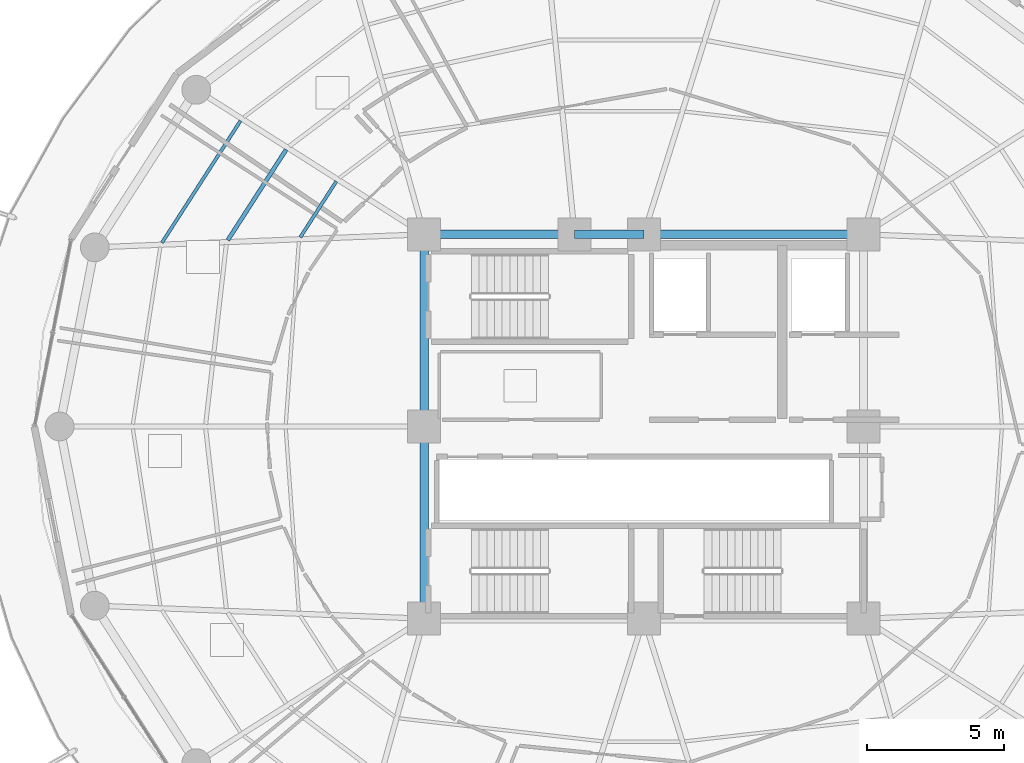
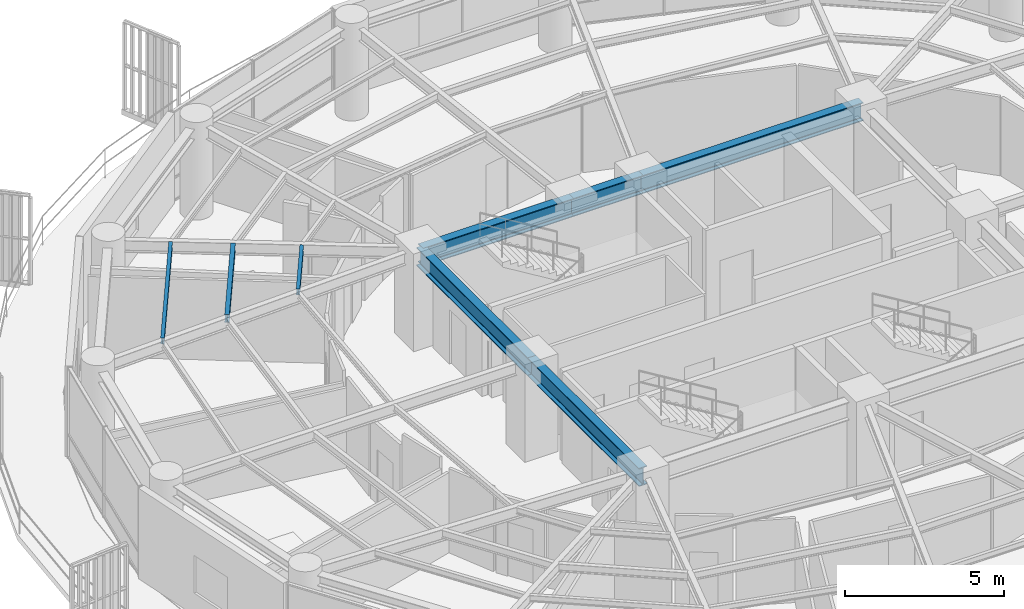
# One storey, part 9 of 31: 8 beams.
"""IFC4 building model written with IfcOpenShell, lengths in metres."""

from ifc_helpers import new_model, si_unit, direction, frame, origin, origin_2d, place, context, subcontext, project, spatial, i_section, extrude, material, material_profile, profile_set, type_object, element, save


model = new_model("IFC4")

# Units and contexts
model_context = context("Model", 3, precision=1e-05, world=origin(), true_north=direction((0.0, 1.0)))
body_context = subcontext(model_context, "Body", "Model", "MODEL_VIEW")
ifc_project = project(units=[si_unit("LENGTHUNIT", "METRE"), si_unit("AREAUNIT", "SQUARE_METRE"), si_unit("VOLUMEUNIT", "CUBIC_METRE"), si_unit("PLANEANGLEUNIT", "RADIAN"), si_unit("MASSUNIT", "GRAM", prefix="KILO")], contexts=[model_context])

# Site, building, storey
site_placement = place(None, origin())
site = spatial("IfcSite", under=ifc_project, at=site_placement, CompositionType="ELEMENT")
building_placement = place(site_placement, origin())
building = spatial("IfcBuilding", under=site, at=building_placement, Name="Kelanora Arch Commons", CompositionType="ELEMENT")
storey_placement = place(building_placement, frame((0.0, 0.0, 193.199951171875)))
storey = spatial("IfcBuildingStorey", under=building, at=storey_placement, Name="L49", CompositionType="ELEMENT", Elevation=193.199951171875)

# Beams
ifc_material = material(Name="Steel S355", Category="steel")
ifc_material_profile_1 = material_profile(ifc_material, i_section(OverallWidth=0.300048828125, OverallDepth=0.699951171875, WebThickness=0.01708984375, FlangeThickness=0.031982421875, FilletRadius=0.027099609375, at=origin_2d()), Name="HEB700")
ifc_profile_set_1 = profile_set([ifc_material_profile_1], Name="Steel S355")
beam_type_1 = type_object("IfcBeamType", Name="BM-CORE-HDR", PredefinedType="BEAM", material=ifc_profile_set_1)
beam_1_placement = place(storey_placement, frame((82.0, 65.0, 3.14013671875), z_axis=(-1.0, 0.0, 0.0), x_axis=(0.0, -1.0, 0.0)))
element("IfcBeam", 1, at=beam_1_placement, inside=storey, type_object=beam_type_1, Name="Core Header Beam 05 L49", PredefinedType="BEAM", context=body_context, shape_type="SweptSolid", body=[
    extrude(i_section(OverallWidth=0.300048828125, OverallDepth=0.699951171875, WebThickness=0.01708984375, FlangeThickness=0.031982421875, FilletRadius=0.027099609375, at=origin_2d()), origin(), (0.0, 0.0, 1.0), 8.0),
])
beam_2_placement = place(storey_placement, frame((74.0, 65.0, 3.14013671875), z_axis=(-1.0, 0.0, 0.0), x_axis=(0.0, -1.0, 0.0)))
element("IfcBeam", 2, at=beam_2_placement, inside=storey, type_object=beam_type_1, Name="Core Header Beam 06 L49", PredefinedType="BEAM", context=body_context, shape_type="SweptSolid", body=[
    extrude(i_section(OverallWidth=0.300048828125, OverallDepth=0.699951171875, WebThickness=0.01708984375, FlangeThickness=0.031982421875, FilletRadius=0.027099609375, at=origin_2d()), origin(), (0.0, 0.0, 1.0), 2.52001953125),
])
beam_3_placement = place(storey_placement, frame((71.47998046875, 65.0, 3.14013671875), z_axis=(-1.0, 0.0, 0.0), x_axis=(0.0, -1.0, 0.0)))
element("IfcBeam", 3, at=beam_3_placement, inside=storey, type_object=beam_type_1, Name="Core Header Beam 07 L49", PredefinedType="BEAM", context=body_context, shape_type="SweptSolid", body=[
    extrude(i_section(OverallWidth=0.300048828125, OverallDepth=0.699951171875, WebThickness=0.01708984375, FlangeThickness=0.031982421875, FilletRadius=0.027099609375, at=origin_2d()), origin(), (0.0, 0.0, 1.0), 5.47998046875),
])
for number, where, z_axis, x_axis, name in (
    (4, (66.0, 65.0, 3.14013671875), (0.0, -1.0, 0.0), (1.0, 0.0, 0.0), "Core Header Beam 08 L49"),
    (5, (66.0, 58.0, 3.14013671875), (0.0, -1.0, 0.0), (1.0, 0.0, 0.0), "Core Header Beam 09 L49"),
):
    element("IfcBeam", number, at=place(storey_placement, frame(where, z_axis=z_axis, x_axis=x_axis)), inside=storey, type_object=beam_type_1, Name=name, PredefinedType="BEAM", context=body_context, shape_type="SweptSolid", body=[
        extrude(i_section(OverallWidth=0.300048828125, OverallDepth=0.699951171875, WebThickness=0.01708984375, FlangeThickness=0.031982421875, FilletRadius=0.027099609375, at=origin_2d()), origin(), (0.0, 0.0, 1.0), 7.0),
    ])
ifc_material_profile_2 = material_profile(ifc_material, i_section(OverallWidth=0.14990234375, OverallDepth=0.300048828125, WebThickness=0.007080078125, FlangeThickness=0.0107421875, FilletRadius=0.014892578125, at=origin_2d()), Name="IPE300")
ifc_profile_set_2 = profile_set([ifc_material_profile_2], Name="Steel S355")
beam_type_2 = type_object("IfcBeamType", Name="BM-JST-01", PredefinedType="JOIST", material=ifc_profile_set_2)
beam_4_placement = place(storey_placement, frame((60.97314453125, 68.087158203125, 3.340087890625), z_axis=(-0.541411265892, -0.840757896879, 0.0), x_axis=(0.840757896879, -0.541411265892, 0.0)))
element("IfcBeam", 6, at=beam_4_placement, inside=storey, type_object=beam_type_2, Name="Secondary Chord Joist BJB-14 L49", PredefinedType="JOIST", context=body_context, shape_type="SweptSolid", body=[
    extrude(i_section(OverallWidth=0.14990234375, OverallDepth=0.300048828125, WebThickness=0.007080078125, FlangeThickness=0.0107421875, FilletRadius=0.014892578125, at=origin_2d()), origin(), (0.0, 0.0, 1.0), 3.92529296875),
])
ifc_material_profile_3 = material_profile(ifc_material, i_section(OverallWidth=0.1201171875, OverallDepth=0.239990234375, WebThickness=0.006103515625, FlangeThickness=0.009765625, FilletRadius=0.014892578125, at=origin_2d()), Name="IPE240")
ifc_profile_set_3 = profile_set([ifc_material_profile_3], Name="Steel S355")
beam_type_3 = type_object("IfcBeamType", Name="BM-JST-02", PredefinedType="JOIST", material=ifc_profile_set_3)
beam_5_placement = place(storey_placement, frame((62.79931640625, 66.928955078125, 3.3701171875), z_axis=(-0.541332763503, -0.840808443796, 0.0), x_axis=(0.840808443796, -0.541332763503, 0.0)))
element("IfcBeam", 7, at=beam_5_placement, inside=storey, type_object=beam_type_3, Name="Secondary Chord Joist BJA-14 L49", PredefinedType="JOIST", context=body_context, shape_type="SweptSolid", body=[
    extrude(i_section(OverallWidth=0.1201171875, OverallDepth=0.239990234375, WebThickness=0.006103515625, FlangeThickness=0.009765625, FilletRadius=0.014892578125, at=origin_2d()), origin(), (0.0, 0.0, 1.0), 2.423583984375),
])
beam_6_placement = place(storey_placement, frame((59.31298828125, 69.14013671875, 3.3701171875), z_axis=(-0.541382492679, -0.840776424872, 0.0), x_axis=(0.840776424872, -0.541382492679, 0.0)))
element("IfcBeam", 8, at=beam_6_placement, inside=storey, type_object=beam_type_3, Name="Secondary Chord Joist BJC-14 L49", PredefinedType="JOIST", context=body_context, shape_type="SweptSolid", body=[
    extrude(i_section(OverallWidth=0.1201171875, OverallDepth=0.239990234375, WebThickness=0.006103515625, FlangeThickness=0.009765625, FilletRadius=0.014892578125, at=origin_2d()), origin(), (0.0, 0.0, 1.0), 5.29052734375),
])

save(model, "model.ifc")
